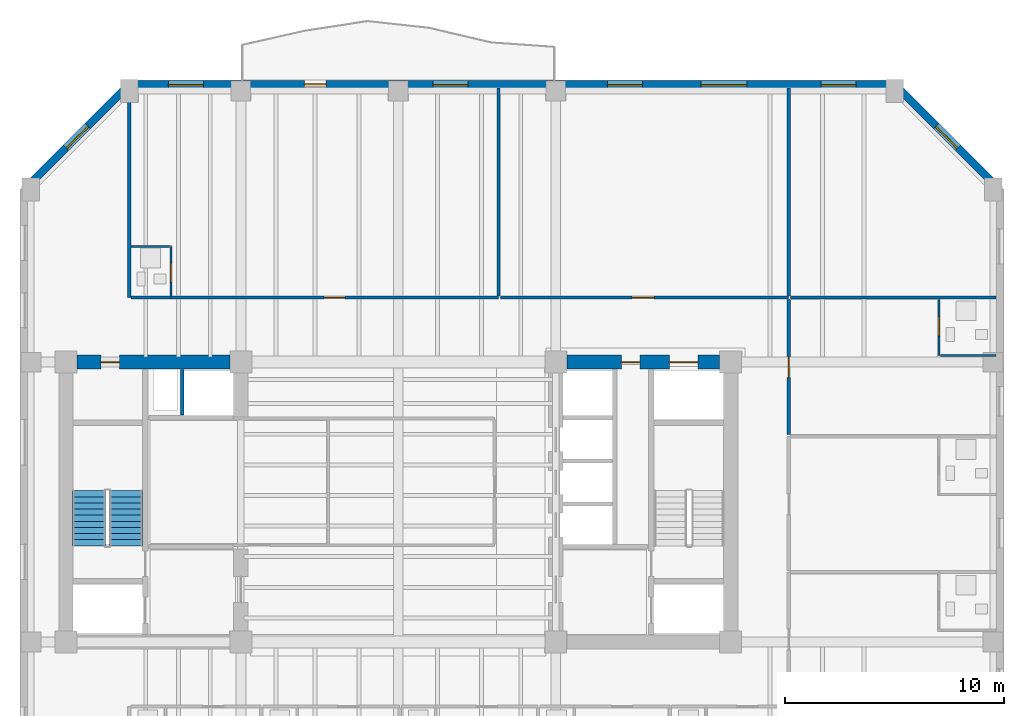
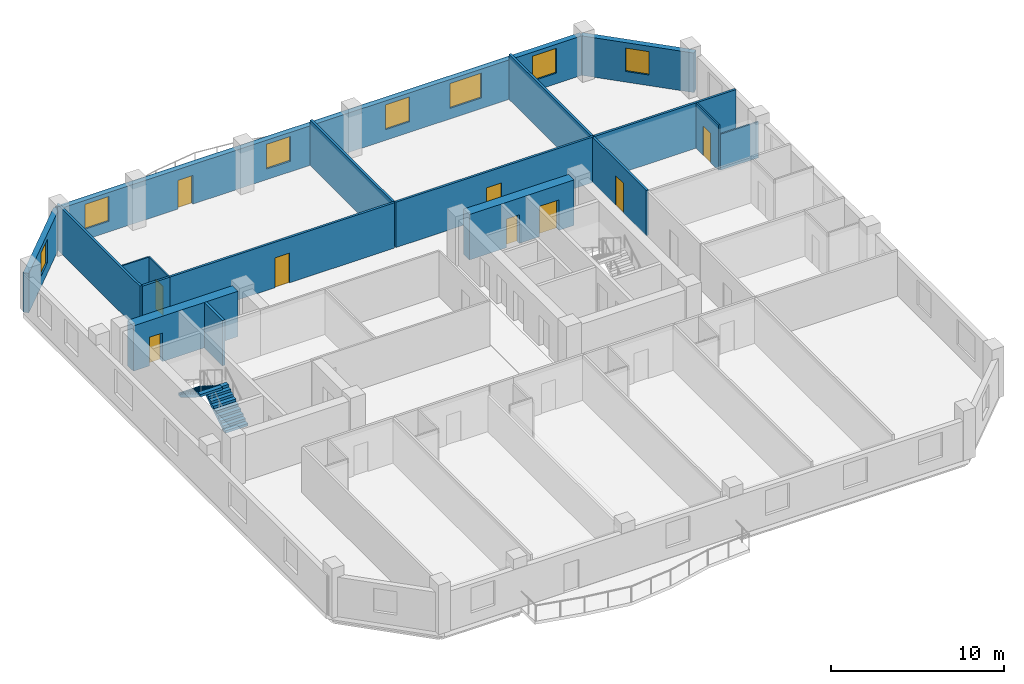
# One storey, part 5 of 10: 18 walls, 9 doors, 7 windows, 2 stair flights, 16 openings, 1 element without a shape of its own.
"""IFC4 building model written with IfcOpenShell, lengths in metres."""

from ifc_helpers import new_model, si_unit, direction, frame, frame_2d, origin, place, context, subcontext, project, spatial, polyline, rectangle, outline, extrude, material, layer, layer_set, type_object, element, fill, aggregate, save


model = new_model("IFC4")

# Units and contexts
model_context = context("Model", 3, precision=1e-05, world=origin(), true_north=direction((0.0, 1.0)))
body_context = subcontext(model_context, "Body", "Model", "MODEL_VIEW")
ifc_project = project(units=[si_unit("LENGTHUNIT", "METRE"), si_unit("AREAUNIT", "SQUARE_METRE"), si_unit("VOLUMEUNIT", "CUBIC_METRE"), si_unit("PLANEANGLEUNIT", "RADIAN"), si_unit("MASSUNIT", "GRAM", prefix="KILO")], contexts=[model_context])

# Site, building, storey
site_placement = place(None, origin())
site = spatial("IfcSite", under=ifc_project, at=site_placement, CompositionType="ELEMENT")
building_placement = place(site_placement, origin())
building = spatial("IfcBuilding", under=site, at=building_placement, Name="Kranthara Brick Stack", CompositionType="ELEMENT")
storey_placement = place(building_placement, frame((0.0, 0.0, 151.800048828125)))
storey = spatial("IfcBuildingStorey", under=building, at=storey_placement, Name="L38", CompositionType="ELEMENT", Elevation=151.800048828125)

# Wall, opening, window
ifc_material_1 = material(Name="Kiln-fired clay brick masonry M15", Category="masonry")
ifc_layer_1 = layer(ifc_material_1, 0.35009765625)
ifc_layer_set_1 = layer_set([ifc_layer_1], Name="Kiln-fired clay brick masonry M15")
wall_type_1 = type_object("IfcWallType", Name="WL-BRK-SPND-350", PredefinedType="STANDARD", material=ifc_layer_set_1)
wall_1_placement = place(storey_placement, frame((10.89501953125, 41.5, 0.0), z_axis=(0.0, 0.0, 1.0), x_axis=(0.707106781187, 0.707106781187, 0.0)))
wall_1 = element("IfcWall", 1, at=wall_1_placement, inside=storey, type_object=wall_type_1, Name="L38 Exterior Brick Facade Wall NW 1", PredefinedType="STANDARD", context=body_context, shape_type="SweptSolid", body=[
    extrude(rectangle(XDim=6.795166015625, YDim=0.35009765625, at=frame_2d((3.3974609375, 0.0))), origin(), (0.0, 0.0, 1.0), 2.784912109375),
])
opening_1_placement = place(wall_1_placement, frame((2.697998046875, 0.0, 0.75)))
opening_1 = element("IfcOpeningElement", 2, at=opening_1_placement, cuts=wall_1, Name="Opening WN10", PredefinedType="OPENING", context=body_context, shape_type="SweptSolid", body=[
    extrude(rectangle(XDim=1.39990234375, YDim=1.64990234375, at=frame_2d((0.699951171875, 0.824951171875))), frame((0.0, 0.18505859375, 0.0), z_axis=(0.0, -1.0, 0.0), x_axis=(1.0, 0.0, 0.0)), (0.0, 0.0, 1.0), 0.3701171875),
])
ifc_material_2 = material(Name="Double-glazed low-E solar control glass", Category="glass")
window_type_1 = type_object("IfcWindowType", Name="WN-CHM-1400x1750", PartitioningType="SINGLE_PANEL", PredefinedType="WINDOW", material=ifc_material_2)
window_1_placement = place(opening_1_placement, origin())
window_1 = element("IfcWindow", 3, at=window_1_placement, inside=storey, type_object=window_type_1, Name="L38 NW Chamfer Corner Window", OverallHeight=1.64990234375, OverallWidth=1.39990234375, PartitioningType="SINGLE_PANEL", PredefinedType="WINDOW", context=body_context, shape_type="SweptSolid", body=[
    extrude(rectangle(XDim=1.39990234375, YDim=1.64990234375, at=frame_2d((0.699951171875, 0.824951171875))), frame((0.0, -0.010009765625, 0.0), z_axis=(0.0, -1.0, 0.0), x_axis=(1.0, 0.0, 0.0)), (0.0, 0.0, 1.0), 0.06005859375),
])
fill(opening_1, window_1)

# Wall, openings, door, windows
wall_2_placement = place(storey_placement, frame((15.699951171875, 46.304931640625, 0.0), z_axis=(0.0, 0.0, 1.0), x_axis=(1.0, 0.0, 0.0)))
wall_2 = element("IfcWall", 4, at=wall_2_placement, inside=storey, type_object=wall_type_1, Name="L38 Exterior Brick Facade Wall NORTH 1", PredefinedType="STANDARD", context=body_context, shape_type="SweptSolid", body=[
    extrude(rectangle(XDim=35.0, YDim=0.35009765625, at=frame_2d((17.5, 0.0))), origin(), (0.0, 0.0, 1.0), 2.784912109375),
])
opening_2_placement = place(wall_2_placement, frame((8.0, 0.0, 0.0)))
opening_2 = element("IfcOpeningElement", 5, at=opening_2_placement, cuts=wall_2, Name="Opening D03", PredefinedType="OPENING", context=body_context, shape_type="SweptSolid", body=[
    extrude(rectangle(XDim=1.0, YDim=2.02001953125, at=frame_2d((0.5, 1.010009765625))), frame((0.0, 0.18505859375, 0.0), z_axis=(0.0, -1.0, 0.0), x_axis=(1.0, 0.0, 0.0)), (0.0, 0.0, 1.0), 0.3701171875),
])
opening_3_placement = place(wall_2_placement, frame((1.7880859375, 0.0, 0.75)))
opening_3 = element("IfcOpeningElement", 6, at=opening_3_placement, cuts=wall_2, Name="Opening WN04", PredefinedType="OPENING", context=body_context, shape_type="SweptSolid", body=[
    extrude(rectangle(XDim=1.60009765625, YDim=1.75, at=frame_2d((0.800048828125, 0.875))), frame((0.0, 0.18505859375, 0.0), z_axis=(0.0, -1.0, 0.0), x_axis=(1.0, 0.0, 0.0)), (0.0, 0.0, 1.0), 0.3701171875),
])
opening_4_placement = place(wall_2_placement, frame((13.89208984375, 0.0, 0.75)))
opening_4 = element("IfcOpeningElement", 7, at=opening_4_placement, cuts=wall_2, Name="Opening WN04", PredefinedType="OPENING", context=body_context, shape_type="SweptSolid", body=[
    extrude(rectangle(XDim=1.60009765625, YDim=1.75, at=frame_2d((0.800048828125, 0.875))), frame((0.0, 0.18505859375, 0.0), z_axis=(0.0, -1.0, 0.0), x_axis=(1.0, 0.0, 0.0)), (0.0, 0.0, 1.0), 0.3701171875),
])
opening_5_placement = place(wall_2_placement, frame((21.85693359375, 0.0, 0.75)))
opening_5 = element("IfcOpeningElement", 8, at=opening_5_placement, cuts=wall_2, Name="Opening WN04", PredefinedType="OPENING", context=body_context, shape_type="SweptSolid", body=[
    extrude(rectangle(XDim=1.60009765625, YDim=1.75, at=frame_2d((0.800048828125, 0.875))), frame((0.0, 0.18505859375, 0.0), z_axis=(0.0, -1.0, 0.0), x_axis=(1.0, 0.0, 0.0)), (0.0, 0.0, 1.0), 0.3701171875),
])
opening_6_placement = place(wall_2_placement, frame((26.14306640625, 0.0, 0.75)))
opening_6 = element("IfcOpeningElement", 9, at=opening_6_placement, cuts=wall_2, Name="Opening WN05", PredefinedType="OPENING", context=body_context, shape_type="SweptSolid", body=[
    extrude(rectangle(XDim=2.10009765625, YDim=1.75, at=frame_2d((1.050048828125, 0.875))), frame((0.0, 0.18505859375, 0.0), z_axis=(0.0, -1.0, 0.0), x_axis=(1.0, 0.0, 0.0)), (0.0, 0.0, 1.0), 0.3701171875),
])
opening_7_placement = place(wall_2_placement, frame((31.636962890625, 0.0, 0.75)))
opening_7 = element("IfcOpeningElement", 10, at=opening_7_placement, cuts=wall_2, Name="Opening WN04", PredefinedType="OPENING", context=body_context, shape_type="SweptSolid", body=[
    extrude(rectangle(XDim=1.60009765625, YDim=1.75, at=frame_2d((0.800048828125, 0.875))), frame((0.0, 0.18505859375, 0.0), z_axis=(0.0, -1.0, 0.0), x_axis=(1.0, 0.0, 0.0)), (0.0, 0.0, 1.0), 0.3701171875),
])
ifc_material_3 = material(Name="Bronze anodised aluminium and laminated glass", Category="aluminium")
door_type_1 = type_object("IfcDoorType", Name="DR-BALC-1000", OperationType="NOTDEFINED", PredefinedType="DOOR", material=ifc_material_3)
door_1_placement = place(opening_2_placement, origin())
door_1 = element("IfcDoor", 11, at=door_1_placement, inside=storey, type_object=door_type_1, Name="L38 North Balcony Terrace Door", OperationType="SINGLE_SWING_RIGHT", OverallHeight=2.02001953125, OverallWidth=1.0, PredefinedType="DOOR", context=body_context, shape_type="SweptSolid", body=[
    extrude(rectangle(XDim=1.0, YDim=2.02001953125, at=frame_2d((0.5, 1.010009765625))), frame((0.0, 0.02490234375, 0.0), z_axis=(0.0, -1.0, 0.0), x_axis=(1.0, 0.0, 0.0)), (0.0, 0.0, 1.0), 0.050048828125),
])
fill(opening_2, door_1)
ifc_material_4 = material(Name="Double-glazed low-E solar control glass", Category="glass")
window_type_2 = type_object("IfcWindowType", Name="WN-HTL-1600x1850", PartitioningType="DOUBLE_PANEL_VERTICAL", PredefinedType="WINDOW", material=ifc_material_4)
window_2_placement = place(opening_3_placement, origin())
window_2 = element("IfcWindow", 12, at=window_2_placement, inside=storey, type_object=window_type_2, Name="L38 North Deep-Set Brick Window 01", OverallHeight=1.75, OverallWidth=1.60009765625, PartitioningType="SINGLE_PANEL", PredefinedType="WINDOW", context=body_context, shape_type="SweptSolid", body=[
    extrude(rectangle(XDim=1.60009765625, YDim=1.75, at=frame_2d((0.800048828125, 0.875))), frame((0.0, -0.010009765625, 0.0), z_axis=(0.0, -1.0, 0.0), x_axis=(1.0, 0.0, 0.0)), (0.0, 0.0, 1.0), 0.06005859375),
])
fill(opening_3, window_2)
window_3_placement = place(opening_4_placement, origin())
window_3 = element("IfcWindow", 13, at=window_3_placement, inside=storey, type_object=window_type_2, Name="L38 North Deep-Set Brick Window 02", OverallHeight=1.75, OverallWidth=1.60009765625, PartitioningType="SINGLE_PANEL", PredefinedType="WINDOW", context=body_context, shape_type="SweptSolid", body=[
    extrude(rectangle(XDim=1.60009765625, YDim=1.75, at=frame_2d((0.800048828125, 0.875))), frame((0.0, -0.010009765625, 0.0), z_axis=(0.0, -1.0, 0.0), x_axis=(1.0, 0.0, 0.0)), (0.0, 0.0, 1.0), 0.06005859375),
])
fill(opening_4, window_3)
window_4_placement = place(opening_5_placement, origin())
window_4 = element("IfcWindow", 14, at=window_4_placement, inside=storey, type_object=window_type_2, Name="L38 North Deep-Set Brick Window 03", OverallHeight=1.75, OverallWidth=1.60009765625, PartitioningType="SINGLE_PANEL", PredefinedType="WINDOW", context=body_context, shape_type="SweptSolid", body=[
    extrude(rectangle(XDim=1.60009765625, YDim=1.75, at=frame_2d((0.800048828125, 0.875))), frame((0.0, -0.010009765625, 0.0), z_axis=(0.0, -1.0, 0.0), x_axis=(1.0, 0.0, 0.0)), (0.0, 0.0, 1.0), 0.06005859375),
])
fill(opening_5, window_4)
window_5_placement = place(opening_7_placement, origin())
window_5 = element("IfcWindow", 15, at=window_5_placement, inside=storey, type_object=window_type_2, Name="L38 North Deep-Set Brick Window 05", OverallHeight=1.75, OverallWidth=1.60009765625, PartitioningType="SINGLE_PANEL", PredefinedType="WINDOW", context=body_context, shape_type="SweptSolid", body=[
    extrude(rectangle(XDim=1.60009765625, YDim=1.75, at=frame_2d((0.800048828125, 0.875))), frame((0.0, -0.010009765625, 0.0), z_axis=(0.0, -1.0, 0.0), x_axis=(1.0, 0.0, 0.0)), (0.0, 0.0, 1.0), 0.06005859375),
])
fill(opening_7, window_5)
ifc_material_5 = material(Name="Double-glazed low-E solar control glass", Category="glass")
window_type_3 = type_object("IfcWindowType", Name="WN-HTL-2100x1850", PartitioningType="DOUBLE_PANEL_VERTICAL", PredefinedType="WINDOW", material=ifc_material_5)
window_6_placement = place(opening_6_placement, origin())
window_6 = element("IfcWindow", 16, at=window_6_placement, inside=storey, type_object=window_type_3, Name="L38 North Deep-Set Brick Window 04", OverallHeight=1.75, OverallWidth=2.10009765625, PartitioningType="SINGLE_PANEL", PredefinedType="WINDOW", context=body_context, shape_type="SweptSolid", body=[
    extrude(rectangle(XDim=2.10009765625, YDim=1.75, at=frame_2d((1.050048828125, 0.875))), frame((0.0, -0.010009765625, 0.0), z_axis=(0.0, -1.0, 0.0), x_axis=(1.0, 0.0, 0.0)), (0.0, 0.0, 1.0), 0.06005859375),
])
fill(opening_6, window_6)

# Wall, opening, window
wall_3_placement = place(storey_placement, frame((50.699951171875, 46.304931640625, 0.0), z_axis=(0.0, 0.0, 1.0), x_axis=(0.707106781187, -0.707106781187, 0.0)))
wall_3 = element("IfcWall", 17, at=wall_3_placement, inside=storey, type_object=wall_type_1, Name="L38 Exterior Brick Facade Wall NE 1", PredefinedType="STANDARD", context=body_context, shape_type="SweptSolid", body=[
    extrude(rectangle(XDim=6.795166015625, YDim=0.35009765625, at=frame_2d((3.3974609375, 0.0))), origin(), (0.0, 0.0, 1.0), 2.784912109375),
])
opening_8_placement = place(wall_3_placement, frame((2.697998046875, 0.0, 0.75)))
opening_8 = element("IfcOpeningElement", 18, at=opening_8_placement, cuts=wall_3, Name="Opening WN10", PredefinedType="OPENING", context=body_context, shape_type="SweptSolid", body=[
    extrude(rectangle(XDim=1.39990234375, YDim=1.64990234375, at=frame_2d((0.699951171875, 0.824951171875))), frame((0.0, 0.18505859375, 0.0), z_axis=(0.0, -1.0, 0.0), x_axis=(1.0, 0.0, 0.0)), (0.0, 0.0, 1.0), 0.3701171875),
])
window_7_placement = place(opening_8_placement, origin())
window_7 = element("IfcWindow", 19, at=window_7_placement, inside=storey, type_object=window_type_1, Name="L38 NE Chamfer Corner Window", OverallHeight=1.64990234375, OverallWidth=1.39990234375, PartitioningType="SINGLE_PANEL", PredefinedType="WINDOW", context=body_context, shape_type="SweptSolid", body=[
    extrude(rectangle(XDim=1.39990234375, YDim=1.64990234375, at=frame_2d((0.699951171875, 0.824951171875))), frame((0.0, -0.010009765625, 0.0), z_axis=(0.0, -1.0, 0.0), x_axis=(1.0, 0.0, 0.0)), (0.0, 0.0, 1.0), 0.06005859375),
])
fill(opening_8, window_7)

# Wall, opening, door
ifc_material_6 = material(Name="Concrete C60/75", Category="concrete")
ifc_layer_2 = layer(ifc_material_6, 0.64990234375)
ifc_layer_set_2 = layer_set([ifc_layer_2], Name="Concrete C60/75")
wall_type_2 = type_object("IfcWallType", Name="WL-CORE-650", PredefinedType="SHEAR", material=ifc_layer_set_2)
wall_4_placement = place(storey_placement, frame((13.304931640625, 33.60009765625, 0.0), z_axis=(0.0, 0.0, 1.0), x_axis=(1.0, 0.0, 0.0)))
wall_4 = element("IfcWall", 20, at=wall_4_placement, inside=storey, type_object=wall_type_2, Name="L38 West Core Shear Wall North", PredefinedType="SHEAR", context=body_context, shape_type="SweptSolid", body=[
    extrude(rectangle(XDim=6.989990234375, YDim=0.64990234375, at=frame_2d((3.4951171875, 0.0))), origin(), (0.0, 0.0, 1.0), 3.199951171875),
])
opening_9_placement = place(wall_4_placement, frame((1.094970703125, 0.0, 0.0)))
opening_9 = element("IfcOpeningElement", 21, at=opening_9_placement, cuts=wall_4, Name="Opening D10", PredefinedType="OPENING", context=body_context, shape_type="SweptSolid", body=[
    extrude(rectangle(XDim=0.85009765625, YDim=2.02001953125, at=frame_2d((0.425048828125, 1.010009765625))), frame((0.0, 0.3349609375, 0.0), z_axis=(0.0, -1.0, 0.0), x_axis=(1.0, 0.0, 0.0)), (0.0, 0.0, 1.0), 0.669921875),
])
ifc_material_7 = material(Name="Solid-core hardwood timber leaf in steel frame", Category="steel")
door_type_2 = type_object("IfcDoorType", Name="DR-RSR-850", OperationType="NOTDEFINED", PredefinedType="DOOR", material=ifc_material_7)
door_2_placement = place(opening_9_placement, origin())
door_2 = element("IfcDoor", 22, at=door_2_placement, inside=storey, type_object=door_type_2, Name="L38 West Core Service Door 1", OperationType="SINGLE_SWING_LEFT", OverallHeight=2.02001953125, OverallWidth=0.85009765625, PredefinedType="DOOR", context=body_context, shape_type="SweptSolid", body=[
    extrude(rectangle(XDim=0.85009765625, YDim=2.02001953125, at=frame_2d((0.425048828125, 1.010009765625))), frame((0.0, 0.02490234375, 0.0), z_axis=(0.0, -1.0, 0.0), x_axis=(1.0, 0.0, 0.0)), (0.0, 0.0, 1.0), 0.050048828125),
])
fill(opening_9, door_2)

# Wall, openings, doors
wall_5_placement = place(storey_placement, frame((35.705078125, 33.60009765625, 0.0), z_axis=(0.0, 0.0, 1.0), x_axis=(1.0, 0.0, 0.0)))
wall_5 = element("IfcWall", 23, at=wall_5_placement, inside=storey, type_object=wall_type_2, Name="L38 East Core Shear Wall North", PredefinedType="SHEAR", context=body_context, shape_type="SweptSolid", body=[
    extrude(rectangle(XDim=6.989990234375, YDim=0.64990234375, at=frame_2d((3.4951171875, 0.0))), origin(), (0.0, 0.0, 1.0), 3.199951171875),
])
opening_10_placement = place(wall_5_placement, frame((4.695068359375, 0.0, 0.0)))
opening_10 = element("IfcOpeningElement", 24, at=opening_10_placement, cuts=wall_5, Name="Opening LD03", PredefinedType="OPENING", context=body_context, shape_type="SweptSolid", body=[
    extrude(rectangle(XDim=1.300048828125, YDim=2.14990234375, at=frame_2d((0.64990234375, 1.074951171875))), frame((0.0, 0.3349609375, 0.0), z_axis=(0.0, -1.0, 0.0), x_axis=(1.0, 0.0, 0.0)), (0.0, 0.0, 1.0), 0.669921875),
])
opening_11_placement = place(wall_5_placement, frame((2.4951171875, 0.0, 0.0)))
opening_11 = element("IfcOpeningElement", 25, at=opening_11_placement, cuts=wall_5, Name="Opening D10", PredefinedType="OPENING", context=body_context, shape_type="SweptSolid", body=[
    extrude(rectangle(XDim=0.85009765625, YDim=2.02001953125, at=frame_2d((0.425048828125, 1.010009765625))), frame((0.0, 0.3349609375, 0.0), z_axis=(0.0, -1.0, 0.0), x_axis=(1.0, 0.0, 0.0)), (0.0, 0.0, 1.0), 0.669921875),
])
ifc_material_8 = material(Name="Stainless steel sliding landing door", Category="steel")
door_type_3 = type_object("IfcDoorType", Name="DR-LD-SV1300", OperationType="DOUBLE_DOOR_SLIDING", PredefinedType="DOOR", material=ifc_material_8)
door_3_placement = place(opening_10_placement, origin())
door_3 = element("IfcDoor", 26, at=door_3_placement, inside=storey, type_object=door_type_3, Name="L38 Stretcher Service Lift SV-01 Landing Door", OperationType="DOUBLE_DOOR_SLIDING", OverallHeight=2.14990234375, OverallWidth=1.300048828125, PredefinedType="DOOR", context=body_context, shape_type="SweptSolid", body=[
    extrude(rectangle(XDim=1.300048828125, YDim=2.14990234375, at=frame_2d((0.64990234375, 1.074951171875))), frame((0.0, 0.02490234375, 0.0), z_axis=(0.0, -1.0, 0.0), x_axis=(1.0, 0.0, 0.0)), (0.0, 0.0, 1.0), 0.050048828125),
])
fill(opening_10, door_3)
door_4_placement = place(opening_11_placement, origin())
door_4 = element("IfcDoor", 27, at=door_4_placement, inside=storey, type_object=door_type_2, Name="L38 East Core Service Room Door", OperationType="SINGLE_SWING_LEFT", OverallHeight=2.02001953125, OverallWidth=0.85009765625, PredefinedType="DOOR", context=body_context, shape_type="SweptSolid", body=[
    extrude(rectangle(XDim=0.85009765625, YDim=2.02001953125, at=frame_2d((0.425048828125, 1.010009765625))), frame((0.0, 0.02490234375, 0.0), z_axis=(0.0, -1.0, 0.0), x_axis=(1.0, 0.0, 0.0)), (0.0, 0.0, 1.0), 0.050048828125),
])
fill(opening_11, door_4)

# Wall, opening, door
ifc_material_9 = material(Name="Moisture-resistant wet-room partition", Category="other")
ifc_layer_3 = layer(ifc_material_9, 0.10009765625)
ifc_layer_set_3 = layer_set([ifc_layer_3], Name="Moisture-resistant wet-room partition")
wall_type_3 = type_object("IfcWallType", Name="WL-PART-100", PredefinedType="PARTITIONING", material=ifc_layer_set_3)
wall_6_placement = place(storey_placement, frame((17.60009765625, 36.6298828125, 0.0), z_axis=(0.0, 0.0, 1.0), x_axis=(0.0, 1.0, 0.0)))
wall_6 = element("IfcWall", 28, at=wall_6_placement, inside=storey, type_object=wall_type_3, Name="L38 Interior Partition 034", PredefinedType="PARTITIONING", context=body_context, shape_type="SweptSolid", body=[
    extrude(rectangle(XDim=2.25, YDim=0.10009765625, at=frame_2d((1.125, 0.0))), origin(), (0.0, 0.0, 1.0), 3.199951171875),
])
opening_12_placement = place(wall_6_placement, frame((0.639892578125, 0.0, 0.0)))
opening_12 = element("IfcOpeningElement", 29, at=opening_12_placement, cuts=wall_6, Name="Opening D17", PredefinedType="OPENING", context=body_context, shape_type="SweptSolid", body=[
    extrude(rectangle(XDim=0.85009765625, YDim=2.050048828125, at=frame_2d((0.425048828125, 1.02490234375))), frame((0.0, 0.06005859375, 0.0), z_axis=(0.0, -1.0, 0.0), x_axis=(1.0, 0.0, 0.0)), (0.0, 0.0, 1.0), 0.1201171875),
])
ifc_material_10 = material(Name="Solid-core hardwood timber leaf in steel frame", Category="steel")
door_type_4 = type_object("IfcDoorType", Name="DR-WET-850", OperationType="NOTDEFINED", PredefinedType="DOOR", material=ifc_material_10)
door_5_placement = place(opening_12_placement, origin())
door_5 = element("IfcDoor", 30, at=door_5_placement, inside=storey, type_object=door_type_4, Name="L38 Key 06 En-Suite Door 13", OperationType="SINGLE_SWING_LEFT", OverallHeight=2.050048828125, OverallWidth=0.85009765625, PredefinedType="DOOR", context=body_context, shape_type="SweptSolid", body=[
    extrude(rectangle(XDim=0.85009765625, YDim=2.050048828125, at=frame_2d((0.425048828125, 1.02490234375))), frame((0.0, 0.02490234375, 0.0), z_axis=(0.0, -1.0, 0.0), x_axis=(1.0, 0.0, 0.0)), (0.0, 0.0, 1.0), 0.050048828125),
])
fill(opening_12, door_5)

# Wall
wall_7_placement = place(storey_placement, frame((15.780029296875, 38.8798828125, 0.0), z_axis=(0.0, 0.0, 1.0), x_axis=(1.0, 0.0, 0.0)))
element("IfcWall", 31, at=wall_7_placement, inside=storey, type_object=wall_type_3, Name="L38 Interior Partition 035", PredefinedType="PARTITIONING", context=body_context, shape_type="SweptSolid", body=[
    extrude(rectangle(XDim=1.764892578125, YDim=0.10009765625, at=frame_2d((0.88232421875, 0.0))), origin(), (0.0, 0.0, 1.0), 3.199951171875),
])

# Wall, opening, door
wall_8_placement = place(storey_placement, frame((52.72998046875, 33.89990234375, 0.0), z_axis=(0.0, 0.0, 1.0), x_axis=(0.0, 1.0, 0.0)))
wall_8 = element("IfcWall", 32, at=wall_8_placement, inside=storey, type_object=wall_type_3, Name="L38 Interior Partition 050", PredefinedType="PARTITIONING", context=body_context, shape_type="SweptSolid", body=[
    extrude(rectangle(XDim=2.570068359375, YDim=0.10009765625, at=frame_2d((1.28515625, 0.0))), origin(), (0.0, 0.0, 1.0), 3.199951171875),
])
opening_13_placement = place(wall_8_placement, frame((0.905029296875, 0.0, 0.0)))
opening_13 = element("IfcOpeningElement", 33, at=opening_13_placement, cuts=wall_8, Name="Opening D17", PredefinedType="OPENING", context=body_context, shape_type="SweptSolid", body=[
    extrude(rectangle(XDim=0.85009765625, YDim=2.050048828125, at=frame_2d((0.425048828125, 1.02490234375))), frame((0.0, 0.06005859375, 0.0), z_axis=(0.0, -1.0, 0.0), x_axis=(1.0, 0.0, 0.0)), (0.0, 0.0, 1.0), 0.1201171875),
])
door_6_placement = place(opening_13_placement, origin())
door_6 = element("IfcDoor", 34, at=door_6_placement, inside=storey, type_object=door_type_4, Name="L38 East Key 10 Bath 20", OperationType="SINGLE_SWING_RIGHT", OverallHeight=2.050048828125, OverallWidth=0.85009765625, PredefinedType="DOOR", context=body_context, shape_type="SweptSolid", body=[
    extrude(rectangle(XDim=0.85009765625, YDim=2.050048828125, at=frame_2d((0.425048828125, 1.02490234375))), frame((0.0, 0.02490234375, 0.0), z_axis=(0.0, -1.0, 0.0), x_axis=(1.0, 0.0, 0.0)), (0.0, 0.0, 1.0), 0.050048828125),
])
fill(opening_13, door_6)

# Walls
wall_9_placement = place(storey_placement, frame((52.784912109375, 33.89990234375, 0.0), z_axis=(0.0, 0.0, 1.0), x_axis=(1.0, 0.0, 0.0)))
element("IfcWall", 35, at=wall_9_placement, inside=storey, type_object=wall_type_3, Name="L38 Interior Partition 051", PredefinedType="PARTITIONING", context=body_context, shape_type="SweptSolid", body=[
    extrude(rectangle(XDim=2.5400390625, YDim=0.10009765625, at=frame_2d((1.27001953125, 0.0))), origin(), (0.0, 0.0, 1.0), 2.534912109375),
])
ifc_material_11 = material(Name="Fire-rated gypsum board partition", Category="other")
ifc_layer_4 = layer(ifc_material_11, 0.14990234375)
ifc_layer_set_4 = layer_set([ifc_layer_4], Name="Fire-rated gypsum board partition")
wall_type_4 = type_object("IfcWallType", Name="WL-PART-150", PredefinedType="PARTITIONING", material=ifc_layer_set_4)
wall_10_placement = place(storey_placement, frame((15.699951171875, 36.550048828125, 0.0), z_axis=(0.0, 0.0, 1.0), x_axis=(0.0, 1.0, 0.0)))
element("IfcWall", 36, at=wall_10_placement, inside=storey, type_object=wall_type_4, Name="L38 Interior Partition 031", PredefinedType="PARTITIONING", context=body_context, shape_type="SweptSolid", body=[
    extrude(rectangle(XDim=9.574951171875, YDim=0.14990234375, at=frame_2d((4.78759765625, 0.0))), origin(), (0.0, 0.0, 1.0), 3.199951171875),
])
wall_11_placement = place(storey_placement, frame((15.780029296875, 36.550048828125, 0.0), z_axis=(0.0, 0.0, 1.0), x_axis=(1.0, 0.0, 0.0)))
element("IfcWall", 37, at=wall_11_placement, inside=storey, type_object=wall_type_4, Name="L38 Interior Partition 032", PredefinedType="PARTITIONING", context=body_context, shape_type="SweptSolid", body=[
    extrude(rectangle(XDim=1.820068359375, YDim=0.14990234375, at=frame_2d((0.91015625, 0.0))), origin(), (0.0, 0.0, 1.0), 3.199951171875),
])

# Wall, opening, door
wall_12_placement = place(storey_placement, frame((17.60009765625, 36.550048828125, 0.0), z_axis=(0.0, 0.0, 1.0), x_axis=(1.0, 0.0, 0.0)))
wall_12 = element("IfcWall", 38, at=wall_12_placement, inside=storey, type_object=wall_type_4, Name="L38 Interior Partition 033", PredefinedType="PARTITIONING", context=body_context, shape_type="SweptSolid", body=[
    extrude(rectangle(XDim=14.98388671875, YDim=0.14990234375, at=frame_2d((7.491943359375, 0.0))), origin(), (0.0, 0.0, 1.0), 3.199951171875),
])
opening_14_placement = place(wall_12_placement, frame((7.011962890625, 0.0, 0.0)))
opening_14 = element("IfcOpeningElement", 39, at=opening_14_placement, cuts=wall_12, Name="Opening D09", PredefinedType="OPENING", context=body_context, shape_type="SweptSolid", body=[
    extrude(rectangle(XDim=0.949951171875, YDim=2.10009765625, at=frame_2d((0.47509765625, 1.050048828125))), frame((0.0, 0.0849609375, 0.0), z_axis=(0.0, -1.0, 0.0), x_axis=(1.0, 0.0, 0.0)), (0.0, 0.0, 1.0), 0.169921875),
])
ifc_material_12 = material(Name="Solid-core hardwood timber leaf in steel frame", Category="steel")
door_type_5 = type_object("IfcDoorType", Name="DR-FD-950", OperationType="NOTDEFINED", PredefinedType="DOOR", material=ifc_material_12)
door_7_placement = place(opening_14_placement, origin())
door_7 = element("IfcDoor", 40, at=door_7_placement, inside=storey, type_object=door_type_5, Name="L38 Key 06 Entry 14", OperationType="SINGLE_SWING_RIGHT", OverallHeight=2.10009765625, OverallWidth=0.949951171875, PredefinedType="DOOR", context=body_context, shape_type="SweptSolid", body=[
    extrude(rectangle(XDim=0.949951171875, YDim=2.10009765625, at=frame_2d((0.47509765625, 1.050048828125))), frame((0.0, 0.02490234375, 0.0), z_axis=(0.0, -1.0, 0.0), x_axis=(1.0, 0.0, 0.0)), (0.0, 0.0, 1.0), 0.050048828125),
])
fill(opening_14, door_7)

# Wall
wall_13_placement = place(storey_placement, frame((32.583984375, 36.6298828125, 0.0), z_axis=(0.0, 0.0, 1.0), x_axis=(0.0, 1.0, 0.0)))
element("IfcWall", 41, at=wall_13_placement, inside=storey, type_object=wall_type_4, Name="L38 Interior Partition 036", PredefinedType="PARTITIONING", context=body_context, shape_type="SweptSolid", body=[
    extrude(rectangle(XDim=9.4951171875, YDim=0.14990234375, at=frame_2d((4.74755859375, 0.0))), origin(), (0.0, 0.0, 1.0), 3.199951171875),
])

# Wall, opening, door
wall_14_placement = place(storey_placement, frame((32.6640625, 36.550048828125, 0.0), z_axis=(0.0, 0.0, 1.0), x_axis=(1.0, 0.0, 0.0)))
wall_14 = element("IfcWall", 42, at=wall_14_placement, inside=storey, type_object=wall_type_4, Name="L38 Interior Partition 037", PredefinedType="PARTITIONING", context=body_context, shape_type="SweptSolid", body=[
    extrude(rectangle(XDim=13.18603515625, YDim=0.14990234375, at=frame_2d((6.593017578125, 0.0))), origin(), (0.0, 0.0, 1.0), 3.199951171875),
])
opening_15_placement = place(wall_14_placement, frame((6.032958984375, 0.0, 0.0)))
opening_15 = element("IfcOpeningElement", 43, at=opening_15_placement, cuts=wall_14, Name="Opening D08", PredefinedType="OPENING", context=body_context, shape_type="SweptSolid", body=[
    extrude(rectangle(XDim=1.0, YDim=2.10009765625, at=frame_2d((0.5, 1.050048828125))), frame((0.0, 0.0849609375, 0.0), z_axis=(0.0, -1.0, 0.0), x_axis=(1.0, 0.0, 0.0)), (0.0, 0.0, 1.0), 0.169921875),
])
ifc_material_13 = material(Name="Solid-core hardwood timber leaf in steel frame", Category="steel")
door_type_6 = type_object("IfcDoorType", Name="DR-FD-1000", OperationType="NOTDEFINED", PredefinedType="DOOR", material=ifc_material_13)
door_8_placement = place(opening_15_placement, origin())
door_8 = element("IfcDoor", 44, at=door_8_placement, inside=storey, type_object=door_type_6, Name="L38 Guest Lounge 15", OperationType="SINGLE_SWING_LEFT", OverallHeight=2.10009765625, OverallWidth=1.0, PredefinedType="DOOR", context=body_context, shape_type="SweptSolid", body=[
    extrude(rectangle(XDim=1.0, YDim=2.10009765625, at=frame_2d((0.5, 1.050048828125))), frame((0.0, 0.02490234375, 0.0), z_axis=(0.0, -1.0, 0.0), x_axis=(1.0, 0.0, 0.0)), (0.0, 0.0, 1.0), 0.050048828125),
])
fill(opening_15, door_8)

# Walls
wall_15_placement = place(storey_placement, frame((45.85009765625, 36.6298828125, 0.0), z_axis=(0.0, 0.0, 1.0), x_axis=(0.0, 1.0, 0.0)))
element("IfcWall", 45, at=wall_15_placement, inside=storey, type_object=wall_type_4, Name="L38 Interior Partition 038", PredefinedType="PARTITIONING", context=body_context, shape_type="SweptSolid", body=[
    extrude(rectangle(XDim=9.4951171875, YDim=0.14990234375, at=frame_2d((4.74755859375, 0.0))), origin(), (0.0, 0.0, 1.0), 3.199951171875),
])
wall_16_placement = place(storey_placement, frame((45.929931640625, 36.550048828125, 0.0), z_axis=(0.0, 0.0, 1.0), x_axis=(1.0, 0.0, 0.0)))
element("IfcWall", 46, at=wall_16_placement, inside=storey, type_object=wall_type_4, Name="L38 Interior Partition 040", PredefinedType="PARTITIONING", context=body_context, shape_type="SweptSolid", body=[
    extrude(rectangle(XDim=9.39501953125, YDim=0.14990234375, at=frame_2d((4.697509765625, 0.0))), origin(), (0.0, 0.0, 1.0), 3.199951171875),
])

# Wall, opening, door
wall_17_placement = place(storey_placement, frame((45.85009765625, 30.280029296875, 0.0), z_axis=(0.0, 0.0, 1.0), x_axis=(0.0, 1.0, 0.0)))
wall_17 = element("IfcWall", 47, at=wall_17_placement, inside=storey, type_object=wall_type_4, Name="L38 Interior Partition 049", PredefinedType="PARTITIONING", context=body_context, shape_type="SweptSolid", body=[
    extrude(rectangle(XDim=6.18994140625, YDim=0.14990234375, at=frame_2d((3.094970703125, 0.0))), origin(), (0.0, 0.0, 1.0), 3.199951171875),
])
opening_16_placement = place(wall_17_placement, frame((2.614990234375, 0.0, 0.0)))
opening_16 = element("IfcOpeningElement", 48, at=opening_16_placement, cuts=wall_17, Name="Opening D09", PredefinedType="OPENING", context=body_context, shape_type="SweptSolid", body=[
    extrude(rectangle(XDim=0.949951171875, YDim=2.10009765625, at=frame_2d((0.47509765625, 1.050048828125))), frame((0.0, 0.0849609375, 0.0), z_axis=(0.0, -1.0, 0.0), x_axis=(1.0, 0.0, 0.0)), (0.0, 0.0, 1.0), 0.169921875),
])
door_9_placement = place(opening_16_placement, origin())
door_9 = element("IfcDoor", 49, at=door_9_placement, inside=storey, type_object=door_type_5, Name="L38 East Key 10 21", OperationType="SINGLE_SWING_LEFT", OverallHeight=2.10009765625, OverallWidth=0.949951171875, PredefinedType="DOOR", context=body_context, shape_type="SweptSolid", body=[
    extrude(rectangle(XDim=0.949951171875, YDim=2.10009765625, at=frame_2d((0.47509765625, 1.050048828125))), frame((0.0, 0.02490234375, 0.0), z_axis=(0.0, -1.0, 0.0), x_axis=(1.0, 0.0, 0.0)), (0.0, 0.0, 1.0), 0.050048828125),
])
fill(opening_16, door_9)

# Wall
ifc_material_14 = material(Name="Gypsum plasterboard on acoustic twin stud", Category="other")
ifc_layer_5 = layer(ifc_material_14, 0.179931640625)
ifc_layer_set_5 = layer_set([ifc_layer_5], Name="Gypsum plasterboard on acoustic twin stud")
wall_type_5 = type_object("IfcWallType", Name="WL-PART-180", PredefinedType="PARTITIONING", material=ifc_layer_set_5)
wall_18_placement = place(storey_placement, frame((18.1201171875, 31.169921875, 0.0), z_axis=(0.0, 0.0, 1.0), x_axis=(0.0, 1.0, 0.0)))
element("IfcWall", 50, at=wall_18_placement, inside=storey, type_object=wall_type_5, Name="L38 PL-07 Shaft Back Wall", PredefinedType="PARTITIONING", context=body_context, shape_type="SweptSolid", body=[
    extrude(rectangle(XDim=2.094970703125, YDim=0.179931640625, at=frame_2d((1.04736328125, 0.0))), origin(), (0.0, 0.0, 1.0), 3.199951171875),
])

# Stair, stair flights
ifc_material_15 = material(Name="Concrete C45/55", Category="concrete")
stair_type = type_object("IfcStairType", Name="ST-CORE-20R", PredefinedType="HALF_TURN_STAIR", material=ifc_material_15)
stair_placement = place(storey_placement, origin())
stair = element("IfcStair", 51, at=stair_placement, inside=storey, type_object=stair_type, Name="L38 West Core Protected Exit Stair ST01", PredefinedType="HALF_TURN_STAIR")
ifc_material_16 = material(Name="Concrete C45/55", Category="concrete")
stair_flight_type = type_object("IfcStairFlightType", Name="SFL-RC-20R", PredefinedType="STRAIGHT", material=ifc_material_16)
stair_flight_1_placement = place(storey_placement, frame((15.550048828125, 25.199951171875, 0.0), z_axis=(0.0, 0.0, 1.0), x_axis=(0.0, 1.0, 0.0)))
stair_flight_1 = element("IfcStairFlight", 52, at=stair_flight_1_placement, type_object=stair_flight_type, Name="ST01 flight 1", NumberOfRisers=10, NumberOfTreads=9, PredefinedType="STRAIGHT", RiserHeight=0.175, TreadLength=0.28, context=body_context, shape_type="SweptSolid", body=[
    extrude(outline(polyline([(0.0, 0.0), (0.0, 0.175048828125), (0.280029296875, 0.175048828125), (0.280029296875, 0.35009765625), (0.56005859375, 0.35009765625), (0.56005859375, 0.52490234375), (0.840087890625, 0.52490234375), (0.840087890625, 0.699951171875), (1.1201171875, 0.699951171875), (1.1201171875, 0.875), (1.39990234375, 0.875), (1.39990234375, 1.050048828125), (1.679931640625, 1.050048828125), (1.679931640625, 1.22509765625), (1.9599609375, 1.22509765625), (1.9599609375, 1.39990234375), (2.239990234375, 1.39990234375), (2.239990234375, 1.574951171875), (2.52001953125, 1.574951171875), (2.52001953125, 1.75), (2.52001953125, 1.398193359375), (0.28271484375, 0.0), (0.0, 0.0)])), frame((0.0, 0.75, 0.0), z_axis=(0.0, -1.0, 0.0), x_axis=(1.0, 0.0, 0.0)), (0.0, 0.0, 1.0), 1.5),
])
stair_flight_2_placement = place(storey_placement, frame((13.85009765625, 27.719970703125, 1.75), z_axis=(0.0, 0.0, 1.0), x_axis=(0.0, -1.0, 0.0)))
stair_flight_2 = element("IfcStairFlight", 53, at=stair_flight_2_placement, type_object=stair_flight_type, Name="ST01 flight 2", NumberOfRisers=10, NumberOfTreads=9, PredefinedType="STRAIGHT", RiserHeight=0.175, TreadLength=0.28, context=body_context, shape_type="SweptSolid", body=[
    extrude(outline(polyline([(0.0, 0.0), (0.0, 0.175048828125), (0.280029296875, 0.175048828125), (0.280029296875, 0.35009765625), (0.56005859375, 0.35009765625), (0.56005859375, 0.52490234375), (0.840087890625, 0.52490234375), (0.840087890625, 0.699951171875), (1.1201171875, 0.699951171875), (1.1201171875, 0.875), (1.39990234375, 0.875), (1.39990234375, 1.050048828125), (1.679931640625, 1.050048828125), (1.679931640625, 1.22509765625), (1.9599609375, 1.22509765625), (1.9599609375, 1.39990234375), (2.239990234375, 1.39990234375), (2.239990234375, 1.574951171875), (2.52001953125, 1.574951171875), (2.52001953125, 1.75), (2.52001953125, 1.398193359375), (0.28271484375, 0.0), (0.0, 0.0)])), frame((0.0, 0.75, 0.0), z_axis=(0.0, -1.0, 0.0), x_axis=(1.0, 0.0, 0.0)), (0.0, 0.0, 1.0), 1.5),
])
aggregate(stair, [stair_flight_1, stair_flight_2])

save(model, "model.ifc")
